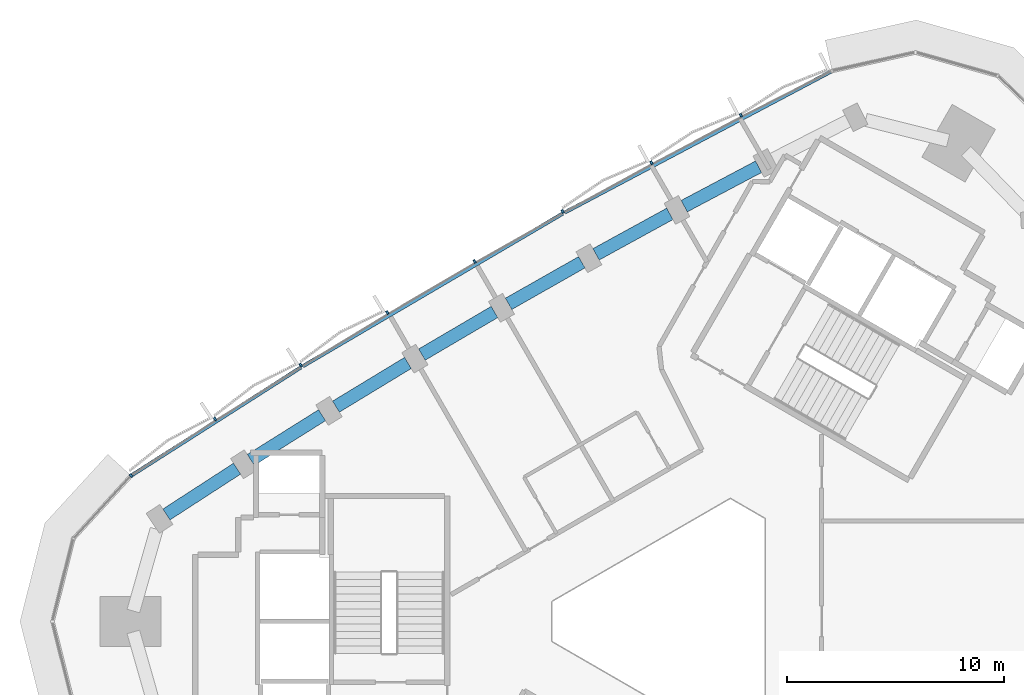
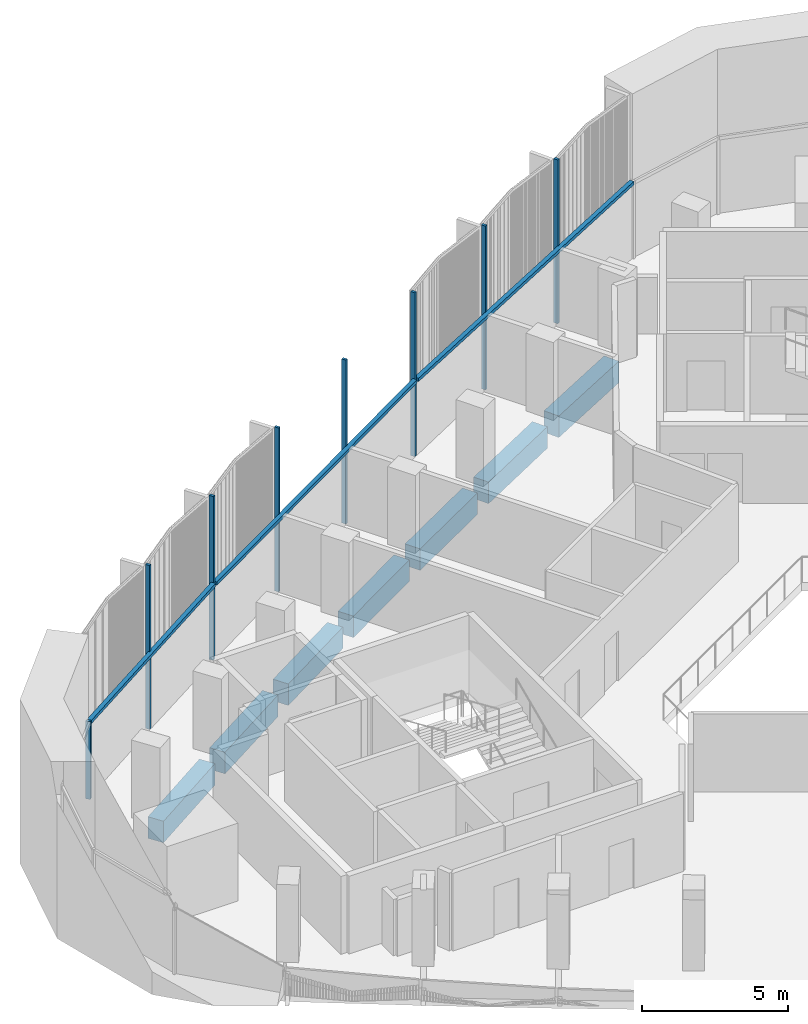
# One storey, part 5 of 16: 11 members, 7 beams, 1 element without a shape of its own.
"""IFC4 building model written with IfcOpenShell, lengths in metres."""

from ifc_helpers import new_model, si_unit, direction, frame, origin, origin_2d, place, context, subcontext, project, spatial, rectangle, extrude, material, material_profile, profile_set, type_object, element, aggregate, save


model = new_model("IFC4")

# Units and contexts
model_context = context("Model", 3, precision=1e-05, world=origin(), true_north=direction((0.0, 1.0)))
body_context = subcontext(model_context, "Body", "Model", "MODEL_VIEW")
ifc_project = project(units=[si_unit("LENGTHUNIT", "METRE"), si_unit("AREAUNIT", "SQUARE_METRE"), si_unit("VOLUMEUNIT", "CUBIC_METRE"), si_unit("PLANEANGLEUNIT", "RADIAN"), si_unit("MASSUNIT", "GRAM", prefix="KILO")], contexts=[model_context])

# Site, building, storey
site_placement = place(None, origin())
site = spatial("IfcSite", under=ifc_project, at=site_placement, CompositionType="ELEMENT")
building_placement = place(site_placement, origin())
building = spatial("IfcBuilding", under=site, at=building_placement, Name="Tamra Quay Hotel Tower", CompositionType="ELEMENT")
storey_placement = place(building_placement, frame((0.0, 0.0, 243.0)))
storey = spatial("IfcBuildingStorey", under=building, at=storey_placement, Name="L61", CompositionType="ELEMENT", Elevation=243.0)

# Curtain wall, members
ifc_material_1 = material(Name="Aluminium 6063 anodised dark grey", Category="aluminium")
curtain_wall_type = type_object("IfcCurtainWallType", Name="CW2 CURTAIN WALL", PredefinedType="NOTDEFINED", material=ifc_material_1)
curtain_wall_placement = place(storey_placement, origin())
curtain_wall = element("IfcCurtainWall", 1, at=curtain_wall_placement, inside=storey, type_object=curtain_wall_type, Name="CW2 north-west face L61", PredefinedType="NOTDEFINED")
ifc_material_profile_1 = material_profile(ifc_material_1, rectangle(XDim=0.169921875, YDim=0.10009765625, at=origin_2d()), Name="MULLION 100X170")
ifc_profile_set_1 = profile_set([ifc_material_profile_1], Name="Aluminium 6063 anodised dark grey")
member_type_1 = type_object("IfcMemberType", Name="MULLION CW2 Z5", PredefinedType="MULLION", material=ifc_profile_set_1)
member_1_placement = place(storey_placement, frame((2.69140625, 23.298828125, 0.0), z_axis=(0.0, 0.0, 1.0), x_axis=(-0.461344395639, 0.887221138507, 0.0)))
member_1 = element("IfcMember", 2, at=member_1_placement, type_object=member_type_1, Name="CW2 mullion L61.NW.2", PredefinedType="MULLION", context=body_context, shape_type="SweptSolid", body=[
    extrude(rectangle(XDim=0.169921875, YDim=0.10009765625, at=origin_2d()), origin(), (0.0, 0.0, 1.0), 6.85009765625),
])
member_2_placement = place(storey_placement, frame((-1.428955078125, 21.11767578125, 0.0), z_axis=(0.0, 0.0, 1.0), x_axis=(-0.474319060265, 0.880353013892, 0.0)))
member_2 = element("IfcMember", 3, at=member_2_placement, type_object=member_type_1, Name="CW2 mullion L61.NW.3", PredefinedType="MULLION", context=body_context, shape_type="SweptSolid", body=[
    extrude(rectangle(XDim=0.169921875, YDim=0.10009765625, at=origin_2d()), origin(), (0.0, 0.0, 1.0), 6.85009765625),
])
member_3_placement = place(storey_placement, frame((-5.515625, 18.877197265625, 0.0), z_axis=(0.0, 0.0, 1.0), x_axis=(-0.487204209401, 0.873288072942, 0.0)))
member_3 = element("IfcMember", 4, at=member_3_placement, type_object=member_type_1, Name="CW2 mullion L61.NW.4", PredefinedType="MULLION", context=body_context, shape_type="SweptSolid", body=[
    extrude(rectangle(XDim=0.169921875, YDim=0.10009765625, at=origin_2d()), origin(), (0.0, 0.0, 1.0), 6.85009765625),
])
member_4_placement = place(storey_placement, frame((-9.570068359375, 16.575927734375, 0.0), z_axis=(0.0, 0.0, 1.0), x_axis=(-0.5, 0.866025403784, 0.0)))
member_4 = element("IfcMember", 5, at=member_4_placement, type_object=member_type_1, Name="CW2 mullion L61.NW.5", PredefinedType="MULLION", context=body_context, shape_type="SweptSolid", body=[
    extrude(rectangle(XDim=0.169921875, YDim=0.10009765625, at=origin_2d()), origin(), (0.0, 0.0, 1.0), 6.85009765625),
])
member_5_placement = place(storey_placement, frame((-13.59033203125, 14.215087890625, 0.0), z_axis=(0.0, 0.0, 1.0), x_axis=(-0.512687551289, 0.858575258643, 0.0)))
member_5 = element("IfcMember", 6, at=member_5_placement, type_object=member_type_1, Name="CW2 mullion L61.NW.6", PredefinedType="MULLION", context=body_context, shape_type="SweptSolid", body=[
    extrude(rectangle(XDim=0.169921875, YDim=0.10009765625, at=origin_2d()), origin(), (0.0, 0.0, 1.0), 6.85009765625),
])
member_6_placement = place(storey_placement, frame((-17.573974609375, 11.79638671875, 0.0), z_axis=(0.0, 0.0, 1.0), x_axis=(-0.525248544196, 0.850948862635, 0.0)))
member_6 = element("IfcMember", 7, at=member_6_placement, type_object=member_type_1, Name="CW2 mullion L61.NW.7", PredefinedType="MULLION", context=body_context, shape_type="SweptSolid", body=[
    extrude(rectangle(XDim=0.169921875, YDim=0.10009765625, at=origin_2d()), origin(), (0.0, 0.0, 1.0), 6.85009765625),
])
member_7_placement = place(storey_placement, frame((-21.523193359375, 9.318603515625, 0.0), z_axis=(0.0, 0.0, 1.0), x_axis=(-0.537683846902, 0.84314653577, 0.0)))
member_7 = element("IfcMember", 8, at=member_7_placement, type_object=member_type_1, Name="CW2 mullion L61.NW.8", PredefinedType="MULLION", context=body_context, shape_type="SweptSolid", body=[
    extrude(rectangle(XDim=0.169921875, YDim=0.10009765625, at=origin_2d()), origin(), (0.0, 0.0, 1.0), 6.85009765625),
])
member_8_placement = place(storey_placement, frame((-25.387939453125, 6.712646484375, 0.0), z_axis=(0.0, 0.0, 1.0), x_axis=(-0.64584626761, 0.763467483665, 0.0)))
member_8 = element("IfcMember", 9, at=member_8_placement, type_object=member_type_1, Name="CW2 mullion L61.NW.9", PredefinedType="MULLION", context=body_context, shape_type="SweptSolid", body=[
    extrude(rectangle(XDim=0.169921875, YDim=0.10009765625, at=origin_2d()), origin(), (0.0, 0.0, 1.0), 3.25),
])

# Beams
ifc_material_2 = material(Name="Concrete M60", Category="concrete")
ifc_material_profile_2 = material_profile(ifc_material_2, rectangle(XDim=0.60009765625, YDim=0.89990234375, at=origin_2d()), Name="SPANDREL BEAM RC 600x900")
ifc_profile_set_2 = profile_set([ifc_material_profile_2], Name="Concrete M60")
beam_type = type_object("IfcBeamType", Name="SPANDREL BEAM RC 600x900", PredefinedType="SPANDREL", material=ifc_profile_set_2)
beam_1_placement = place(storey_placement, frame((3.5, 20.931396484375, -0.800048828125), z_axis=(-0.883803240878, -0.467858772937, 0.0), x_axis=(0.467858772937, -0.883803240878, 0.0)))
element("IfcBeam", 10, at=beam_1_placement, inside=storey, type_object=beam_type, Name="BM-SP5-011-L61", PredefinedType="SPANDREL", context=body_context, shape_type="SweptSolid", body=[
    extrude(rectangle(XDim=0.60009765625, YDim=0.89990234375, at=origin_2d()), origin(), (0.0, 0.0, 1.0), 3.875),
])
beam_2_placement = place(storey_placement, frame((-0.585205078125, 18.7626953125, -0.800048828125), z_axis=(-0.876838966376, -0.480784179279, 0.0), x_axis=(0.480784179279, -0.876838966376, 0.0)))
element("IfcBeam", 11, at=beam_2_placement, inside=storey, type_object=beam_type, Name="BM-SP5-012-L61", PredefinedType="SPANDREL", context=body_context, shape_type="SweptSolid", body=[
    extrude(rectangle(XDim=0.60009765625, YDim=0.89990234375, at=origin_2d()), origin(), (0.0, 0.0, 1.0), 3.87548828125),
])
beam_3_placement = place(storey_placement, frame((-4.638427734375, 16.533935546875, -0.800048828125), z_axis=(-0.86967787455, -0.493619686113, 0.0), x_axis=(0.493619686113, -0.86967787455, 0.0)))
element("IfcBeam", 12, at=beam_3_placement, inside=storey, type_object=beam_type, Name="BM-SP5-013-L61", PredefinedType="SPANDREL", context=body_context, shape_type="SweptSolid", body=[
    extrude(rectangle(XDim=0.60009765625, YDim=0.89990234375, at=origin_2d()), origin(), (0.0, 0.0, 1.0), 3.875244140625),
])
beam_4_placement = place(storey_placement, frame((-8.658203125, 14.24609375, -0.800048828125), z_axis=(-0.862324287816, -0.506356418585, 0.0), x_axis=(0.506356418585, -0.862324287816, 0.0)))
element("IfcBeam", 13, at=beam_4_placement, inside=storey, type_object=beam_type, Name="BM-SP5-014-L61", PredefinedType="SPANDREL", context=body_context, shape_type="SweptSolid", body=[
    extrude(rectangle(XDim=0.60009765625, YDim=0.89990234375, at=origin_2d()), origin(), (0.0, 0.0, 1.0), 3.875),
])
beam_5_placement = place(storey_placement, frame((-12.6435546875, 11.8994140625, -0.800048828125), z_axis=(-0.854785519234, -0.518981421737, 0.0), x_axis=(0.518981421737, -0.854785519234, 0.0)))
element("IfcBeam", 14, at=beam_5_placement, inside=storey, type_object=beam_type, Name="BM-SP5-015-L61", PredefinedType="SPANDREL", context=body_context, shape_type="SweptSolid", body=[
    extrude(rectangle(XDim=0.60009765625, YDim=0.89990234375, at=origin_2d()), origin(), (0.0, 0.0, 1.0), 3.875732421875),
])
beam_6_placement = place(storey_placement, frame((-16.5947265625, 9.494140625, -0.800048828125), z_axis=(-0.847066119134, -0.53148752555, 0.0), x_axis=(0.53148752555, -0.847066119134, 0.0)))
element("IfcBeam", 15, at=beam_6_placement, inside=storey, type_object=beam_type, Name="BM-SP5-016-L61", PredefinedType="SPANDREL", context=body_context, shape_type="SweptSolid", body=[
    extrude(rectangle(XDim=0.60009765625, YDim=0.89990234375, at=origin_2d()), origin(), (0.0, 0.0, 1.0), 3.875),
])
beam_7_placement = place(storey_placement, frame((-20.509521484375, 7.03125, -0.800048828125), z_axis=(-0.839181205466, -0.543851914029, 0.0), x_axis=(0.543851914029, -0.839181205466, 0.0)))
element("IfcBeam", 16, at=beam_7_placement, inside=storey, type_object=beam_type, Name="BM-SP5-017-L61", PredefinedType="SPANDREL", context=body_context, shape_type="SweptSolid", body=[
    extrude(rectangle(XDim=0.60009765625, YDim=0.89990234375, at=origin_2d()), origin(), (0.0, 0.0, 1.0), 3.87548828125),
])

# Member
ifc_material_profile_3 = material_profile(ifc_material_1, rectangle(XDim=0.169921875, YDim=0.139892578125, at=origin_2d()), Name="TRANSOM 170X140")
ifc_profile_set_3 = profile_set([ifc_material_profile_3], Name="Aluminium 6063 anodised dark grey")
member_type_2 = type_object("IfcMemberType", Name="TRANSOM CW2 Z5", PredefinedType="USERDEFINED", material=ifc_profile_set_3)
member_9_placement = place(storey_placement, frame((6.836181640625, 25.320068359375, 3.179931640625), z_axis=(-0.883811448784, -0.467843267557, 0.0), x_axis=(0.467843267557, -0.883811448784, 0.0)))
member_9 = element("IfcMember", 17, at=member_9_placement, type_object=member_type_2, Name="CW2 transom L61.NW.1", ObjectType="TRANSOM", PredefinedType="USERDEFINED", context=body_context, shape_type="SweptSolid", body=[
    extrude(rectangle(XDim=0.169921875, YDim=0.139892578125, at=origin_2d()), origin(), (0.0, 0.0, 1.0), 13.87890625),
])

member_10_placement = place(storey_placement, frame((-5.517578125, 18.7783203125, 3.179931640625), z_axis=(-0.862320117971, -0.506363519758, 0.0), x_axis=(0.506363519758, -0.862320117971, 0.0)))
member_10 = element("IfcMember", 18, at=member_10_placement, type_object=member_type_2, Name="CW2 transom L61.NW.4", ObjectType="TRANSOM", PredefinedType="USERDEFINED", context=body_context, shape_type="SweptSolid", body=[
    extrude(rectangle(XDim=0.169921875, YDim=0.139892578125, at=origin_2d()), origin(), (0.0, 0.0, 1.0), 13.8798828125),
])

member_11_placement = place(storey_placement, frame((-17.57177734375, 11.697509765625, 3.179931640625), z_axis=(-0.843142122818, -0.537690766827, 0.0), x_axis=(0.537690766827, -0.843142122818, 0.0)))
member_11 = element("IfcMember", 19, at=member_11_placement, type_object=member_type_2, Name="CW2 transom L61.NW.7", ObjectType="TRANSOM", PredefinedType="USERDEFINED", context=body_context, shape_type="SweptSolid", body=[
    extrude(rectangle(XDim=0.169921875, YDim=0.139892578125, at=origin_2d()), origin(), (0.0, 0.0, 1.0), 9.220458984375),
])

aggregate(curtain_wall, [member_9, member_1, member_2, member_3, member_10, member_4, member_5, member_6, member_11, member_7, member_8])

save(model, "model.ifc")
